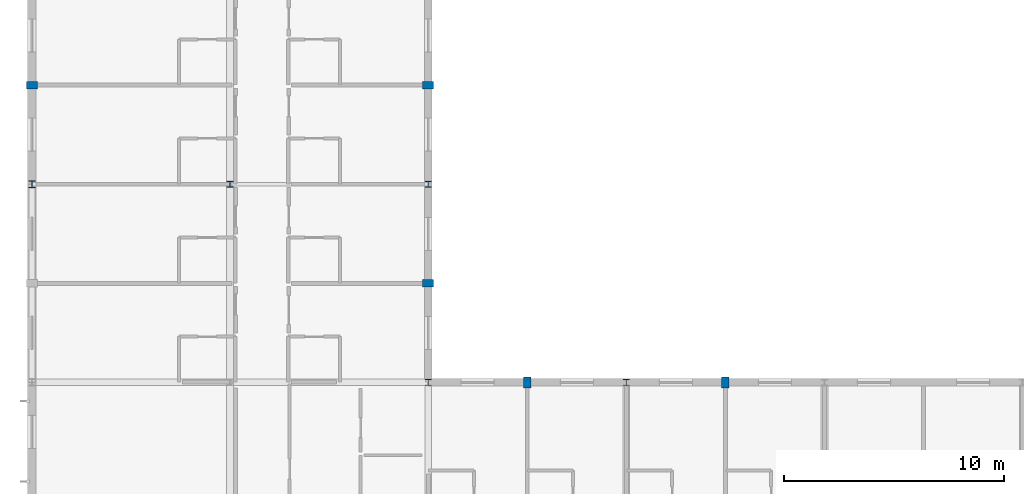
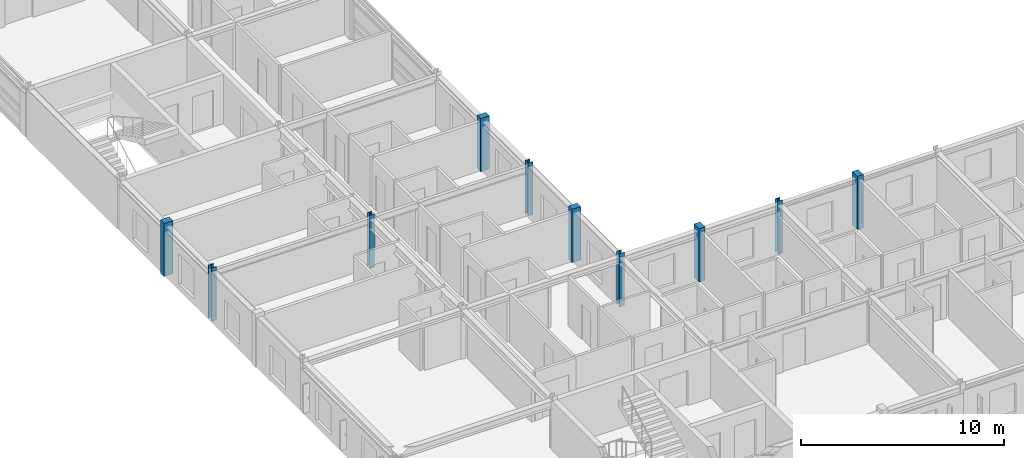
# One storey, part 2 of 18: 10 columns.
"""IFC4 building model written with IfcOpenShell, lengths in metres."""

import ifcopenshell
import ifcopenshell.guid

model = None  # the IFC model being written
_history = None  # IfcOwnerHistory: only IFC2X3 demands one
_inside = {}  # id of a spatial element -> (the spatial element, [elements in it])
_under = {}  # id of a project, library or spatial element -> (it, [spatial elements below it])
_declared = {}  # id of a project -> (the project, [libraries it declares])
_typed = {}  # id of a type object -> (the type object, [elements of that type])
_made_of = {}  # id of a material, layer set ... -> (it, [elements and type objects made of it])


def new_model(schema):
    """Start an empty IFC model of exactly this schema.

    Asked for "IFC4X3", IfcOpenShell would pick the latest addendum, in which some entities
    have other attributes; the version numbers below select the first issue.
    IFC2X3 requires an IfcOwnerHistory on every rooted entity: one is made here for all.
    """
    global model, _history
    if schema == "IFC4X3":
        model = ifcopenshell.file(schema_version=(4, 3, 0, 0))
    else:
        model = ifcopenshell.file(schema=schema)
    _inside.clear()
    _under.clear()
    _declared.clear()
    _typed.clear()
    _made_of.clear()
    _history = None
    if model.schema == "IFC2X3":
        org = make("IfcOrganization", Name="unknown")
        user = make(
            "IfcPersonAndOrganization",
            ThePerson=make("IfcPerson", FamilyName="unknown"),
            TheOrganization=org,
        )
        app = make(
            "IfcApplication",
            ApplicationDeveloper=org,
            Version="unknown",
            ApplicationFullName="unknown",
            ApplicationIdentifier="unknown",
        )
        _history = make(
            "IfcOwnerHistory",
            OwningUser=user,
            OwningApplication=app,
            ChangeAction="ADDED",
            CreationDate=0,
        )
    return model


def make(cls, **values):
    """One entity of the class cls with the attributes given. An attribute that is None is left unset."""
    return model.create_entity(
        cls, **{name: value for name, value in values.items() if value is not None}
    )


def rooted(cls, **values):
    """An entity with a GlobalId (a new one), such as an element, a storey or a relation."""
    return make(cls, GlobalId=ifcopenshell.guid.new(), OwnerHistory=_history, **values)


def si_unit(unit_type, name, prefix=None):
    """IfcSIUnit, for example si_unit("LENGTHUNIT", "METRE", prefix="MILLI")."""
    return make("IfcSIUnit", UnitType=unit_type, Prefix=prefix, Name=name)


def assignment(units):
    """IfcUnitAssignment: the units of a project."""
    return None if units is None else make("IfcUnitAssignment", Units=units)


def point(xyz):
    """IfcCartesianPoint."""
    return None if xyz is None else make("IfcCartesianPoint", Coordinates=xyz)


def direction(xyz):
    """IfcDirection."""
    return None if xyz is None else make("IfcDirection", DirectionRatios=xyz)


def frame(location, z_axis=None, x_axis=None):
    """IfcAxis2Placement3D, a coordinate frame: its origin and axes. An axis left out is left unset."""
    return make(
        "IfcAxis2Placement3D",
        Location=point(location),
        Axis=direction(z_axis),
        RefDirection=direction(x_axis),
    )


def frame_2d(location, x_axis=None):
    """IfcAxis2Placement2D, a coordinate frame in the plane: its origin and x axis."""
    return make(
        "IfcAxis2Placement2D", Location=point(location), RefDirection=direction(x_axis)
    )


def origin():
    """The frame at (0, 0, 0) with its axes left unset."""
    return frame((0.0, 0.0, 0.0))


def origin_2d():
    """The frame at (0, 0) in the plane with its x axis left unset."""
    return frame_2d((0.0, 0.0))


def place(relative_to, where):
    """IfcLocalPlacement: puts the frame where relative to a parent placement (None: the world)."""
    return make(
        "IfcLocalPlacement", PlacementRelTo=relative_to, RelativePlacement=where
    )


def context(
    kind, dimensions, precision=None, world=None, true_north=None, identifier=None
):
    """IfcGeometricRepresentationContext, for example the 3D "Model" context."""
    return make(
        "IfcGeometricRepresentationContext",
        ContextIdentifier=identifier,
        ContextType=kind,
        CoordinateSpaceDimension=dimensions,
        Precision=precision,
        WorldCoordinateSystem=world,
        TrueNorth=true_north,
    )


def subcontext(parent, identifier, kind, view, scale=None):
    """IfcGeometricRepresentationSubContext, for example "Body" below "Model"."""
    return make(
        "IfcGeometricRepresentationSubContext",
        ContextIdentifier=identifier,
        ContextType=kind,
        ParentContext=parent,
        TargetScale=scale,
        TargetView=view,
    )


def project(units=None, contexts=None):
    """IfcProject with its units and contexts."""
    return rooted(
        "IfcProject",
        Name="project",
        RepresentationContexts=contexts,
        UnitsInContext=assignment(units),
    )


def spatial(cls, under=None, at=None, **own):
    """A site, building, storey or space (cls), placed at a placement, below another one or the project."""
    s = rooted(cls, ObjectPlacement=at, **own)
    if under is not None:
        _under.setdefault(under.id(), (under, []))[1].append(s)
    return s


def profile(cls, at=None, kind="AREA", **sizes):
    """A parametric profile (cls). Its sizes go by their IFC names, for example OverallWidth=200.0."""
    return make(cls, ProfileType=kind, Position=at, **sizes)


def rectangle(**sizes):
    """IfcRectangleProfileDef."""
    return profile("IfcRectangleProfileDef", **sizes)


def i_section(**sizes):
    """IfcIShapeProfileDef."""
    return profile("IfcIShapeProfileDef", **sizes)


def extrude(swept, where, along, depth):
    """IfcExtrudedAreaSolid: the profile swept, set in the frame where, extruded along a direction by depth."""
    return make(
        "IfcExtrudedAreaSolid",
        SweptArea=swept,
        Position=where,
        ExtrudedDirection=direction(along),
        Depth=depth,
    )


def shape(context_of_items, identifier, shape_type, items):
    """IfcShapeRepresentation: the items that make up one representation, for example the "Body"."""
    return make(
        "IfcShapeRepresentation",
        ContextOfItems=context_of_items,
        RepresentationIdentifier=identifier,
        RepresentationType=shape_type,
        Items=items,
    )


def material(Name=None, Category=None):
    """IfcMaterial."""
    return make("IfcMaterial", Name=Name, Category=Category)


def material_profile(
    of_material, cross_section, Name=None, Category=None, Priority=None
):
    """IfcMaterialProfile: a cross section and its material."""
    return make(
        "IfcMaterialProfile",
        Name=Name,
        Material=of_material,
        Profile=cross_section,
        Priority=Priority,
        Category=Category,
    )


def profile_set(profiles, Name=None, composite=None):
    """IfcMaterialProfileSet."""
    return make(
        "IfcMaterialProfileSet",
        Name=Name,
        MaterialProfiles=profiles,
        CompositeProfile=composite,
    )


def made_of(thing, what):
    """Note that an element or type object is made of a material, layer set ...; save() writes the relation."""
    if what is not None:
        _made_of.setdefault(what.id(), (what, []))[1].append(thing)
    return thing


def type_object(cls, material=None, **own):
    """A type object (cls), such as IfcWallType, which elements share."""
    return made_of(rooted(cls, **own), material)


def element(
    cls,
    number,
    at=None,
    inside=None,
    cuts=None,
    type_object=None,
    material=None,
    context=None,
    identifier="Body",
    shape_type=None,
    held_by="IfcProductDefinitionShape",
    body=None,
    shapes=None,
    **own,
):
    """One element of the class cls, such as IfcWall. Its Tag is "e" and its number.

    at: its placement. inside: the storey or other place that contains it. cuts: it is an
    opening in that element (IfcRelVoidsElement). A single representation is given by context,
    identifier, shape_type and body (its items); several are given by shapes. held_by: the class
    of the entity that holds the representations. save() writes the other relations.
    """
    e = rooted(cls, Tag="e%d" % number, ObjectPlacement=at, **own)
    if body is not None:
        shapes = [shape(context, identifier, shape_type, body)]
    if shapes is not None:
        e.Representation = make(held_by, Representations=shapes)
    if inside is not None:
        _inside.setdefault(inside.id(), (inside, []))[1].append(e)
    if cuts is not None:
        rooted(
            "IfcRelVoidsElement", RelatingBuildingElement=cuts, RelatedOpeningElement=e
        )
    if type_object is not None:
        _typed.setdefault(type_object.id(), (type_object, []))[1].append(e)
    return made_of(e, material)


def aggregate(whole, parts):
    """IfcRelAggregates: a whole, such as a stair, and the parts it consists of."""
    return rooted("IfcRelAggregates", RelatingObject=whole, RelatedObjects=parts)


def save(model, path):
    """Write the relations noted so far, then the file.

    IfcRelAggregates (storeys below a building ...), IfcRelContainedInSpatialStructure (elements
    in a storey), IfcRelDefinesByType, IfcRelAssociatesMaterial and IfcRelDeclares: one each for
    every whole, place, type object, material and project.
    """
    for whole, parts in _under.values():
        aggregate(whole, parts)
    for where, things in _inside.values():
        rooted(
            "IfcRelContainedInSpatialStructure",
            RelatedElements=things,
            RelatingStructure=where,
        )
    for kind, things in _typed.values():
        rooted("IfcRelDefinesByType", RelatedObjects=things, RelatingType=kind)
    for what, things in _made_of.values():
        rooted("IfcRelAssociatesMaterial", RelatedObjects=things, RelatingMaterial=what)
    for by, libraries in _declared.values():
        rooted("IfcRelDeclares", RelatingContext=by, RelatedDefinitions=libraries)
    model.write(path)


model = new_model("IFC4")

# Units and contexts
model_context = context("Model", 3, precision=1e-05, world=origin(), true_north=direction((0.0, 1.0)))
body_context = subcontext(model_context, "Body", "Model", "MODEL_VIEW")
ifc_project = project(units=[si_unit("LENGTHUNIT", "METRE"), si_unit("AREAUNIT", "SQUARE_METRE"), si_unit("VOLUMEUNIT", "CUBIC_METRE"), si_unit("PLANEANGLEUNIT", "RADIAN"), si_unit("MASSUNIT", "GRAM", prefix="KILO")], contexts=[model_context])

# Site, building, storey
site_placement = place(None, origin())
site = spatial("IfcSite", under=ifc_project, at=site_placement, CompositionType="ELEMENT")
building_placement = place(site_placement, origin())
building = spatial("IfcBuilding", under=site, at=building_placement, Name="Palais des Congres Ocreval", CompositionType="ELEMENT")
storey_placement = place(building_placement, frame((0.0, 0.0, 23.679931640625)))
storey = spatial("IfcBuildingStorey", under=building, at=storey_placement, Name="L07", CompositionType="ELEMENT", Elevation=23.679931640625)

# Columns
ifc_material_1 = material(Name="Steel S355", Category="steel")
ifc_material_profile_1 = material_profile(ifc_material_1, i_section(OverallWidth=0.280029296875, OverallDepth=0.280029296875, WebThickness=0.010498046875, FlangeThickness=0.01806640625, at=origin_2d()), Name="HEB 280")
ifc_profile_set_1 = profile_set([ifc_material_profile_1], Name="Steel S355")
column_type_1 = type_object("IfcColumnType", Name="Column HEB 280 Steel S355", PredefinedType="COLUMN", material=ifc_profile_set_1)
for number, where, z_axis, x_axis, name in (
    (1, (9.0, 27.0, 0.0), (0.0, 0.0, 1.0), (1.0, 0.0, 0.0), "Column C13 L07"),
    (2, (18.0, 18.0, 0.0), (0.0, 0.0, 1.0), (1.0, 0.0, 0.0), "Column C13 L07"),
    (3, (18.0, 27.0, 0.0), (0.0, 0.0, 1.0), (1.0, 0.0, 0.0), "Column C13 L07"),
    (4, (27.0, 18.0, 0.0), (0.0, 0.0, 1.0), (1.0, 0.0, 0.0), "Column C13 L07"),
):
    element("IfcColumn", number, at=place(storey_placement, frame(where, z_axis=z_axis, x_axis=x_axis)), inside=storey, type_object=column_type_1, Name=name, PredefinedType="COLUMN", context=body_context, shape_type="SweptSolid", body=[
        extrude(i_section(OverallWidth=0.280029296875, OverallDepth=0.280029296875, WebThickness=0.010498046875, FlangeThickness=0.01806640625, at=origin_2d()), origin(), (0.0, 0.0, 1.0), 3.199951171875),
    ])
ifc_material_profile_2 = material_profile(ifc_material_1, i_section(OverallWidth=0.300048828125, OverallDepth=0.320068359375, WebThickness=0.011474609375, FlangeThickness=0.0205078125, at=origin_2d()), Name="HEB 320")
ifc_profile_set_2 = profile_set([ifc_material_profile_2], Name="Steel S355")
column_type_2 = type_object("IfcColumnType", Name="Column HEB 320 Steel S355", PredefinedType="COLUMN", material=ifc_profile_set_2)
column_placement = place(storey_placement, frame((0.0, 27.0, 0.0), z_axis=(0.0, 0.0, 1.0), x_axis=(1.0, 0.0, 0.0)))
element("IfcColumn", 5, at=column_placement, inside=storey, type_object=column_type_2, Name="Column C12 L07", PredefinedType="COLUMN", context=body_context, shape_type="SweptSolid", body=[
    extrude(i_section(OverallWidth=0.300048828125, OverallDepth=0.320068359375, WebThickness=0.011474609375, FlangeThickness=0.0205078125, at=origin_2d()), origin(), (0.0, 0.0, 1.0), 3.199951171875),
])
ifc_material_2 = material(Name="Concrete C40/50", Category="concrete")
ifc_material_profile_3 = material_profile(ifc_material_2, rectangle(XDim=0.35009765625, YDim=0.5, at=origin_2d()), Name="RC 350x500")
ifc_profile_set_3 = profile_set([ifc_material_profile_3], Name="Concrete C40/50")
column_type_3 = type_object("IfcColumnType", Name="Pilaster RC 350x500 Concrete C40/50", PredefinedType="PILASTER", material=ifc_profile_set_3)
for number, where, z_axis, x_axis, name in (
    (6, (22.5, 18.0, 0.0), (0.0, 0.0, 1.0), (1.0, 0.0, 0.0), "Perimeter Pilaster PL03 L07"),
    (7, (31.5, 18.0, 0.0), (0.0, 0.0, 1.0), (1.0, 0.0, 0.0), "Perimeter Pilaster PL03 L07"),
    (8, (0.0, 31.5, 0.0), (0.0, 0.0, 1.0), (0.0, 1.0, 0.0), "Perimeter Pilaster PL03 L07"),
    (9, (18.0, 22.5, 0.0), (0.0, 0.0, 1.0), (0.0, 1.0, 0.0), "Perimeter Pilaster PL03 L07"),
    (10, (18.0, 31.5, 0.0), (0.0, 0.0, 1.0), (0.0, 1.0, 0.0), "Perimeter Pilaster PL03 L07"),
):
    element("IfcColumn", number, at=place(storey_placement, frame(where, z_axis=z_axis, x_axis=x_axis)), inside=storey, type_object=column_type_3, Name=name, PredefinedType="PILASTER", context=body_context, shape_type="SweptSolid", body=[
        extrude(rectangle(XDim=0.35009765625, YDim=0.5, at=origin_2d()), origin(), (0.0, 0.0, 1.0), 3.199951171875),
    ])

save(model, "model.ifc")
